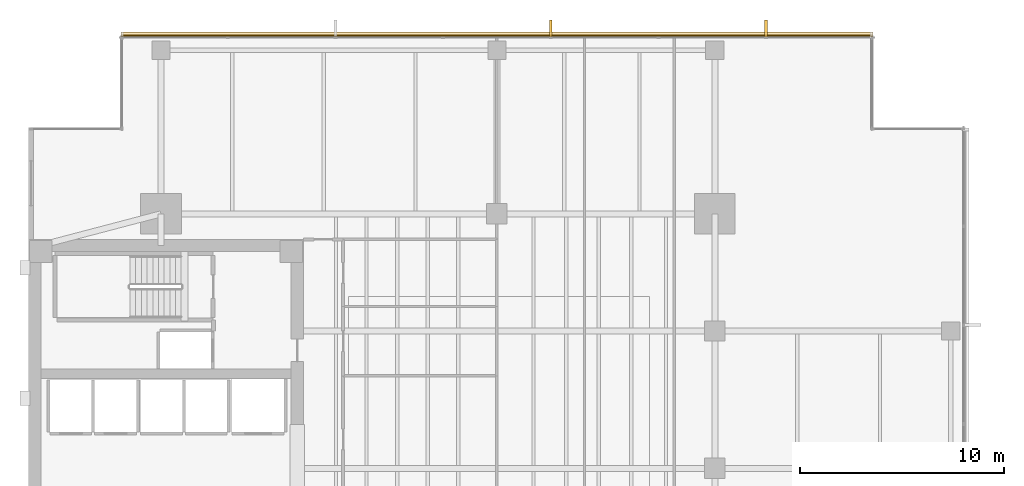
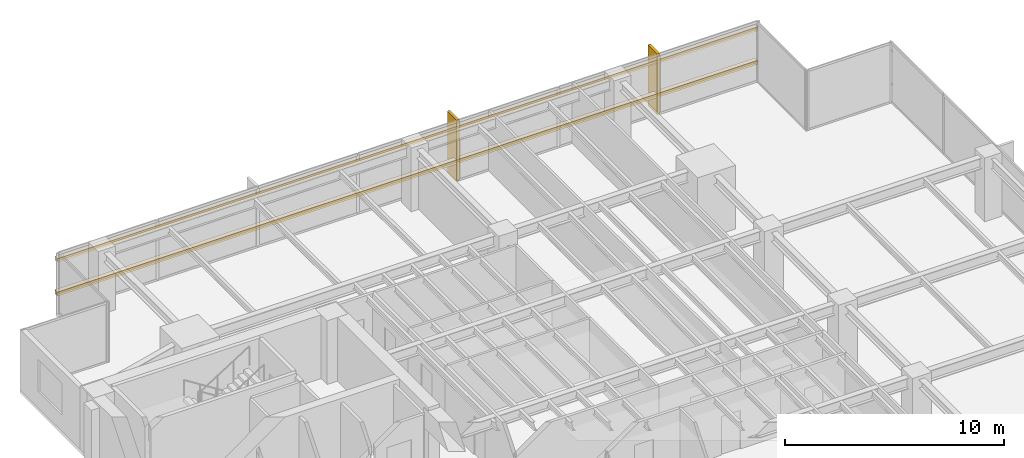
# One storey, part 14 of 14: 4 coverings, 2 shading devices.
"""IFC4 building model written with IfcOpenShell, lengths in metres."""

from ifc_helpers import new_model, si_unit, direction, frame, origin, origin_2d, place, context, subcontext, project, spatial, polyline, rectangle, outline, extrude, material, layer, layer_set, material_profile, profile_set, type_object, element, save


model = new_model("IFC4")

# Units and contexts
model_context = context("Model", 3, precision=1e-05, world=origin(), true_north=direction((0.0, 1.0)))
body_context = subcontext(model_context, "Body", "Model", "MODEL_VIEW")
ifc_project = project(units=[si_unit("LENGTHUNIT", "METRE"), si_unit("AREAUNIT", "SQUARE_METRE"), si_unit("VOLUMEUNIT", "CUBIC_METRE"), si_unit("PLANEANGLEUNIT", "RADIAN"), si_unit("MASSUNIT", "GRAM", prefix="KILO")], contexts=[model_context])

# Site, building, storey
site_placement = place(None, origin())
site = spatial("IfcSite", under=ifc_project, at=site_placement, CompositionType="ELEMENT")
building_placement = place(site_placement, origin())
building = spatial("IfcBuilding", under=site, at=building_placement, Name="Kinhvarn Gate Tower", CompositionType="ELEMENT")
storey_placement = place(building_placement, frame((0.0, 0.0, 134.199951171875)))
storey = spatial("IfcBuildingStorey", under=building, at=storey_placement, Name="L35", CompositionType="ELEMENT", Elevation=134.199951171875)

# Coverings
ifc_material = material(Name="Fired architectural terracotta", Category="masonry")
ifc_layer_1 = layer(ifc_material, 0.239990234375)
ifc_layer_set_1 = layer_set([ifc_layer_1], Name="Fired architectural terracotta")
covering_type_1 = type_object("IfcCoveringType", Name="COV-BAG-220", PredefinedType="CLADDING", material=ifc_layer_set_1)
covering_1_placement = place(storey_placement, frame((0.0, 0.0, 0.93994140625)))
element("IfcCovering", 1, at=covering_1_placement, inside=storey, type_object=covering_type_1, Name="Terracotta Horizontal Sunscreen Band TBG-220 (L35)", PredefinedType="CLADDING", context=body_context, shape_type="SweptSolid", body=[
    extrude(outline(polyline([(45.9599609375, 46.429931640625), (9.0400390625, 46.429931640625), (9.0400390625, 46.669921875), (45.9599609375, 46.669921875), (45.9599609375, 46.429931640625)])), origin(), (0.0, 0.0, 1.0), 0.22021484375),
])
covering_2_placement = place(storey_placement, frame((0.0, 0.0, 2.81005859375)))
element("IfcCovering", 2, at=covering_2_placement, inside=storey, type_object=covering_type_1, Name="Terracotta Horizontal Sunscreen Band TBG-220 (L35)", PredefinedType="CLADDING", context=body_context, shape_type="SweptSolid", body=[
    extrude(outline(polyline([(45.9599609375, 46.429931640625), (9.0400390625, 46.429931640625), (9.0400390625, 46.669921875), (45.9599609375, 46.669921875), (45.9599609375, 46.429931640625)])), origin(), (0.0, 0.0, 1.0), 0.219970703125),
])
ifc_layer_2 = layer(ifc_material, 0.139892578125)
ifc_layer_set_2 = layer_set([ifc_layer_2], Name="Fired architectural terracotta")
covering_type_2 = type_object("IfcCoveringType", Name="COV-FIN-850", PredefinedType="CLADDING", material=ifc_layer_set_2)
covering_3_placement = place(storey_placement, frame((0.0, 0.0, -0.02001953125)))
element("IfcCovering", 3, at=covering_3_placement, inside=storey, type_object=covering_type_2, Name="Vertical Terracotta Expressive Fin TFN-850 (L35)", PredefinedType="CLADDING", context=body_context, shape_type="SweptSolid", body=[
    extrude(outline(polyline([(40.7841796875, 46.419921875), (40.644287109375, 46.419921875), (40.644287109375, 47.27001953125), (40.7841796875, 47.27001953125), (40.7841796875, 46.419921875)])), origin(), (0.0, 0.0, 1.0), 3.41015625),
])
covering_4_placement = place(storey_placement, frame((0.0, 0.0, -0.02001953125)))
element("IfcCovering", 4, at=covering_4_placement, inside=storey, type_object=covering_type_2, Name="Vertical Terracotta Expressive Fin TFN-850 (L35)", PredefinedType="CLADDING", context=body_context, shape_type="SweptSolid", body=[
    extrude(outline(polyline([(30.212890625, 46.419921875), (30.072998046875, 46.419921875), (30.072998046875, 47.27001953125), (30.212890625, 47.27001953125), (30.212890625, 46.419921875)])), origin(), (0.0, 0.0, 1.0), 3.41015625),
])

# Shading devices
ifc_material_profile = material_profile(ifc_material, rectangle(XDim=0.050048828125, YDim=0.1201171875, at=origin_2d()), Name="TC 50x120")
ifc_profile_set = profile_set([ifc_material_profile], Name="Fired architectural terracotta")
shading_device_type = type_object("IfcShadingDeviceType", Name="SHD-BAG-140", PredefinedType="USERDEFINED", material=ifc_profile_set)
for number, where, z_axis, x_axis, name in (
    (5, (45.9599609375, 46.5, 1.050048828125), (-1.0, 0.0, 0.0), (0.0, -1.0, 0.0), "Upper Tower Terracotta Baguette Screen Rod 50x120 mm (L35)"),
    (6, (45.9599609375, 46.5, 2.920166015625), (-1.0, 0.0, 0.0), (0.0, -1.0, 0.0), "Upper Tower Terracotta Baguette Screen Rod 50x120 mm (L35)"),
):
    element("IfcShadingDevice", number, at=place(storey_placement, frame(where, z_axis=z_axis, x_axis=x_axis)), inside=storey, type_object=shading_device_type, Name=name, ObjectType="BAGUETTE", PredefinedType="USERDEFINED", context=body_context, shape_type="SweptSolid", body=[
        extrude(rectangle(XDim=0.050048828125, YDim=0.1201171875, at=origin_2d()), origin(), (0.0, 0.0, 1.0), 36.919921875),
    ])

save(model, "model.ifc")
